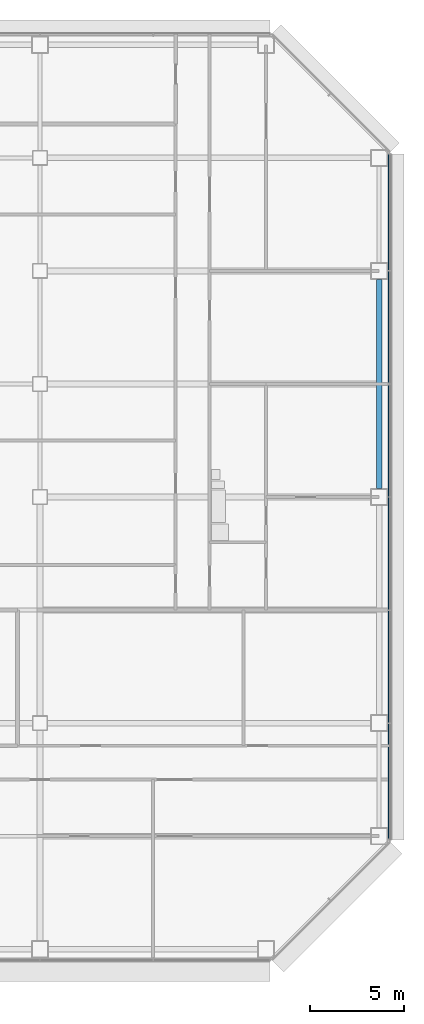
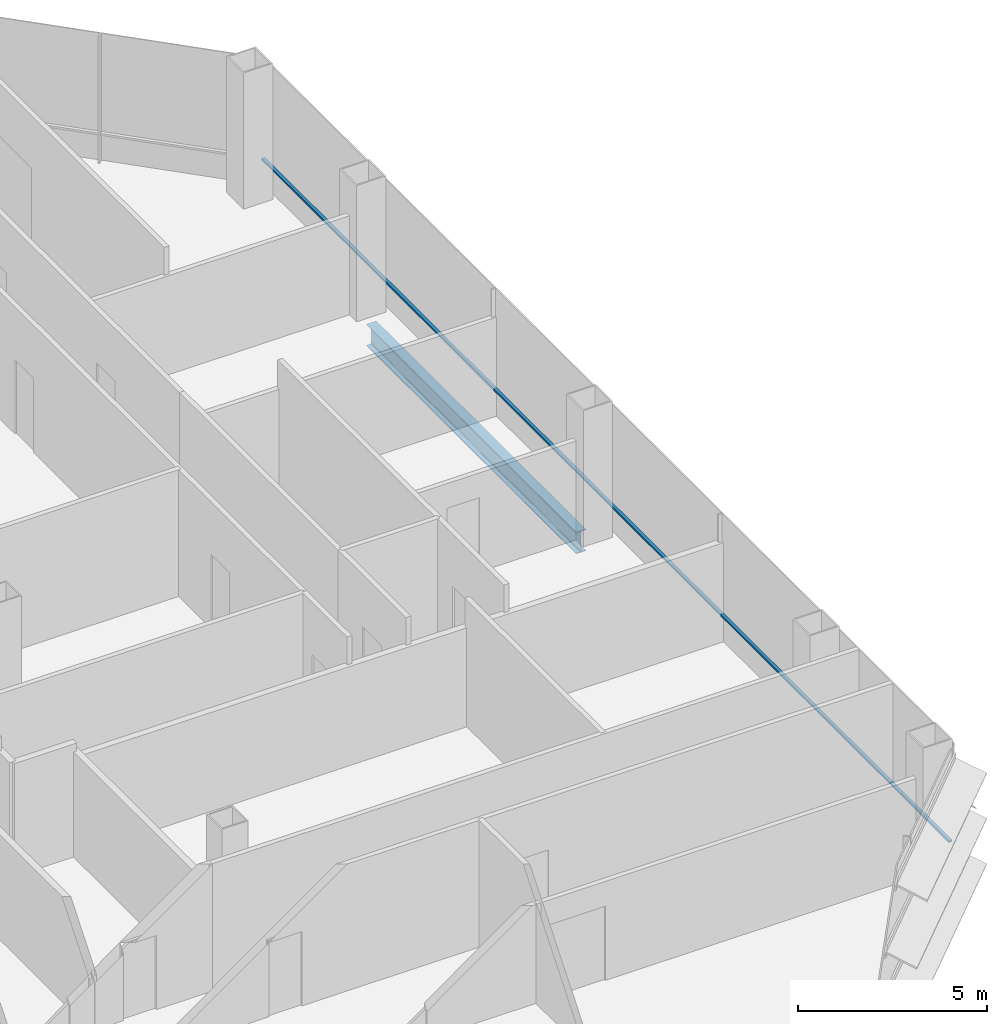
# One storey, part 17 of 27: 1 beam, 1 member, 1 element without a shape of its own.
"""IFC4 building model written with IfcOpenShell, lengths in metres."""

from ifc_helpers import new_model, si_unit, direction, frame, origin, origin_2d, place, context, subcontext, project, spatial, rectangle, i_section, extrude, material, material_profile, profile_set, type_object, element, aggregate, save


model = new_model("IFC4")

# Units and contexts
model_context = context("Model", 3, precision=1e-05, world=origin(), true_north=direction((0.0, 1.0)))
body_context = subcontext(model_context, "Body", "Model", "MODEL_VIEW")
ifc_project = project(units=[si_unit("LENGTHUNIT", "METRE"), si_unit("AREAUNIT", "SQUARE_METRE"), si_unit("VOLUMEUNIT", "CUBIC_METRE"), si_unit("PLANEANGLEUNIT", "RADIAN"), si_unit("MASSUNIT", "GRAM", prefix="KILO")], contexts=[model_context])

# Site, building, storey
site_placement = place(None, origin())
site = spatial("IfcSite", under=ifc_project, at=site_placement, CompositionType="ELEMENT")
building_placement = place(site_placement, origin())
building = spatial("IfcBuilding", under=site, at=building_placement, Name="Sorahane Residences", CompositionType="ELEMENT")
storey_placement = place(building_placement, frame((0.0, 0.0, 85.800048828125)))
storey = spatial("IfcBuildingStorey", under=building, at=storey_placement, Name="L18", CompositionType="ELEMENT", Elevation=85.800048828125)

# Curtain wall, member
ifc_material_1 = material(Name="Dark low-e glass and black anodised aluminium", Category="aluminium")
curtain_wall_type = type_object("IfcCurtainWallType", Name="Curtain wall CW-1 Typical unitised wall", PredefinedType="NOTDEFINED", material=ifc_material_1)
curtain_wall_placement = place(storey_placement, origin())
curtain_wall = element("IfcCurtainWall", 1, at=curtain_wall_placement, inside=storey, type_object=curtain_wall_type, Name="CW-1 curtain wall L18 E1", PredefinedType="NOTDEFINED")
ifc_material_2 = material(Name="Black anodised aluminium", Category="aluminium")
ifc_material_profile_1 = material_profile(ifc_material_2, rectangle(XDim=0.10009765625, YDim=0.06005859375, at=origin_2d()), Name="Curtain wall transom CW-1 black anodised aluminium 60x100")
ifc_profile_set_1 = profile_set([ifc_material_profile_1], Name="Black anodised aluminium")
member_type = type_object("IfcMemberType", Name="Curtain wall transom CW-1 black anodised aluminium 60x100", PredefinedType="USERDEFINED", material=ifc_profile_set_1)
member_placement = place(storey_placement, frame((66.530029296875, 5.801513671875, 0.89990234375), z_axis=(0.0, 1.0, 0.0), x_axis=(-1.0, 0.0, 0.0)))
member = element("IfcMember", 2, at=member_placement, type_object=member_type, Name="CW-1 transom L18 E1", ObjectType="TRANSOM", PredefinedType="USERDEFINED", context=body_context, shape_type="SweptSolid", body=[
    extrude(rectangle(XDim=0.10009765625, YDim=0.06005859375, at=origin_2d()), origin(), (0.0, 0.0, 1.0), 36.39697265625),
])
aggregate(curtain_wall, [member])

# Beam
ifc_material_3 = material(Name="Steel Q355B", Category="steel")
ifc_material_profile_2 = material_profile(ifc_material_3, i_section(OverallWidth=0.300048828125, OverallDepth=0.699951171875, WebThickness=0.012939453125, FlangeThickness=0.02392578125, FilletRadius=0.028076171875, at=origin_2d()), Name="HN 700x300x13x24")
ifc_profile_set_2 = profile_set([ifc_material_profile_2], Name="Steel Q355B")
beam_type = type_object("IfcBeamType", Name="Steel floor beam HN 700x300x13x24 Q355B", PredefinedType="BEAM", material=ifc_profile_set_2)
beam_placement = place(storey_placement, frame((66.0, 24.449951171875, -0.530029296875), z_axis=(0.0, 1.0, 0.0), x_axis=(-1.0, 0.0, 0.0)))
element("IfcBeam", 3, at=beam_placement, inside=storey, type_object=beam_type, Name="Beam L18 059", PredefinedType="BEAM", context=body_context, shape_type="SweptSolid", body=[
    extrude(i_section(OverallWidth=0.300048828125, OverallDepth=0.699951171875, WebThickness=0.012939453125, FlangeThickness=0.02392578125, FilletRadius=0.028076171875, at=origin_2d()), origin(), (0.0, 0.0, 1.0), 11.10009765625),
])

save(model, "model.ifc")
